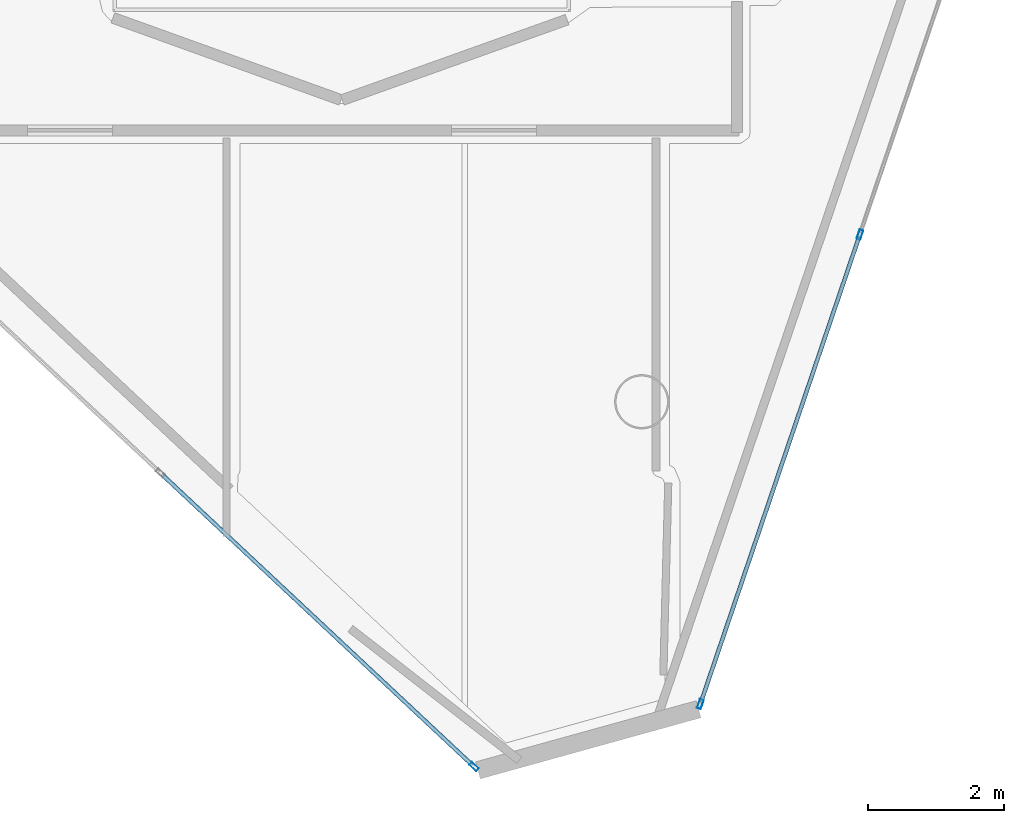
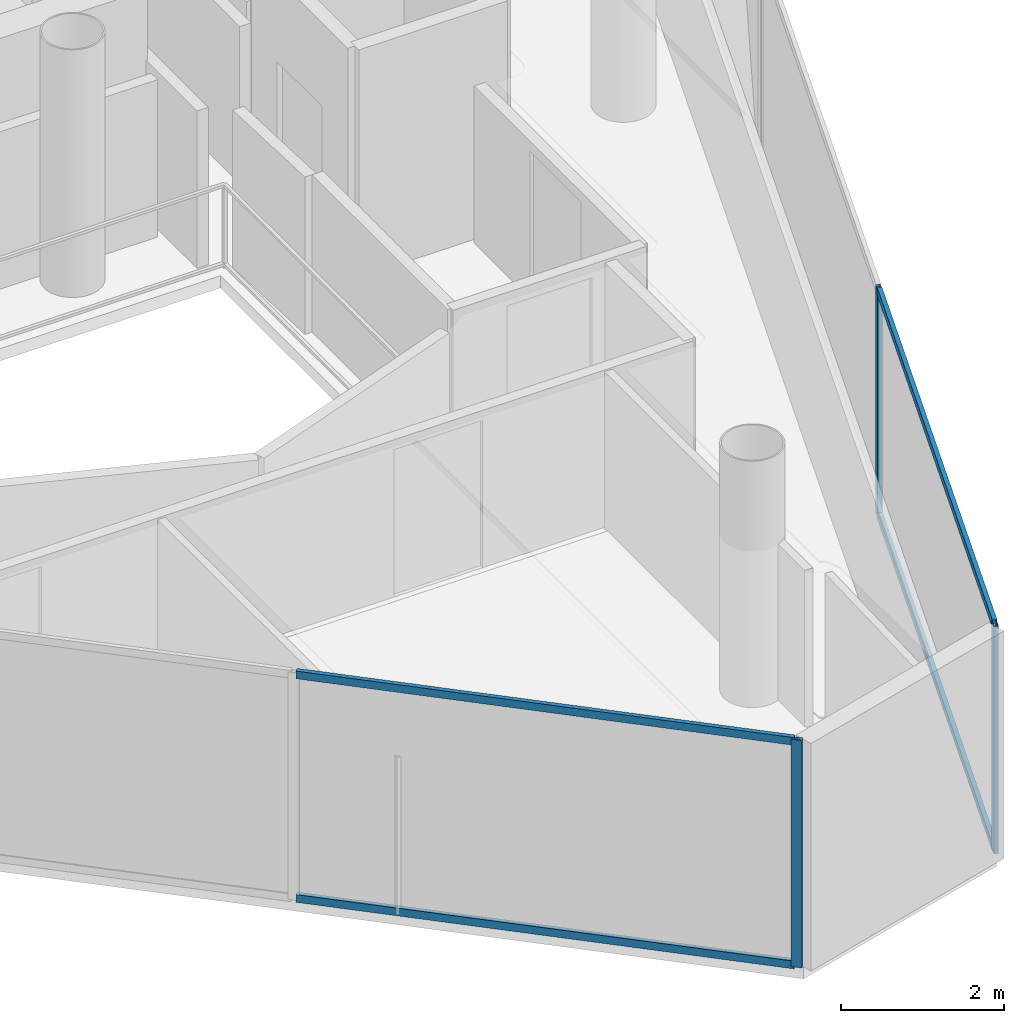
# One storey, part 4 of 18: 7 members, 2 elements without a shape of their own.
"""IFC4 building model written with IfcOpenShell, lengths in metres."""

import ifcopenshell
import ifcopenshell.guid

model = None  # the IFC model being written
_history = None  # IfcOwnerHistory: only IFC2X3 demands one
_inside = {}  # id of a spatial element -> (the spatial element, [elements in it])
_under = {}  # id of a project, library or spatial element -> (it, [spatial elements below it])
_declared = {}  # id of a project -> (the project, [libraries it declares])
_typed = {}  # id of a type object -> (the type object, [elements of that type])
_made_of = {}  # id of a material, layer set ... -> (it, [elements and type objects made of it])


def new_model(schema):
    """Start an empty IFC model of exactly this schema.

    Asked for "IFC4X3", IfcOpenShell would pick the latest addendum, in which some entities
    have other attributes; the version numbers below select the first issue.
    IFC2X3 requires an IfcOwnerHistory on every rooted entity: one is made here for all.
    """
    global model, _history
    if schema == "IFC4X3":
        model = ifcopenshell.file(schema_version=(4, 3, 0, 0))
    else:
        model = ifcopenshell.file(schema=schema)
    _inside.clear()
    _under.clear()
    _declared.clear()
    _typed.clear()
    _made_of.clear()
    _history = None
    if model.schema == "IFC2X3":
        org = make("IfcOrganization", Name="unknown")
        user = make(
            "IfcPersonAndOrganization",
            ThePerson=make("IfcPerson", FamilyName="unknown"),
            TheOrganization=org,
        )
        app = make(
            "IfcApplication",
            ApplicationDeveloper=org,
            Version="unknown",
            ApplicationFullName="unknown",
            ApplicationIdentifier="unknown",
        )
        _history = make(
            "IfcOwnerHistory",
            OwningUser=user,
            OwningApplication=app,
            ChangeAction="ADDED",
            CreationDate=0,
        )
    return model


def make(cls, **values):
    """One entity of the class cls with the attributes given. An attribute that is None is left unset."""
    return model.create_entity(
        cls, **{name: value for name, value in values.items() if value is not None}
    )


def rooted(cls, **values):
    """An entity with a GlobalId (a new one), such as an element, a storey or a relation."""
    return make(cls, GlobalId=ifcopenshell.guid.new(), OwnerHistory=_history, **values)


def si_unit(unit_type, name, prefix=None):
    """IfcSIUnit, for example si_unit("LENGTHUNIT", "METRE", prefix="MILLI")."""
    return make("IfcSIUnit", UnitType=unit_type, Prefix=prefix, Name=name)


def assignment(units):
    """IfcUnitAssignment: the units of a project."""
    return None if units is None else make("IfcUnitAssignment", Units=units)


def point(xyz):
    """IfcCartesianPoint."""
    return None if xyz is None else make("IfcCartesianPoint", Coordinates=xyz)


def direction(xyz):
    """IfcDirection."""
    return None if xyz is None else make("IfcDirection", DirectionRatios=xyz)


def frame(location, z_axis=None, x_axis=None):
    """IfcAxis2Placement3D, a coordinate frame: its origin and axes. An axis left out is left unset."""
    return make(
        "IfcAxis2Placement3D",
        Location=point(location),
        Axis=direction(z_axis),
        RefDirection=direction(x_axis),
    )


def frame_2d(location, x_axis=None):
    """IfcAxis2Placement2D, a coordinate frame in the plane: its origin and x axis."""
    return make(
        "IfcAxis2Placement2D", Location=point(location), RefDirection=direction(x_axis)
    )


def origin():
    """The frame at (0, 0, 0) with its axes left unset."""
    return frame((0.0, 0.0, 0.0))


def origin_2d():
    """The frame at (0, 0) in the plane with its x axis left unset."""
    return frame_2d((0.0, 0.0))


def place(relative_to, where):
    """IfcLocalPlacement: puts the frame where relative to a parent placement (None: the world)."""
    return make(
        "IfcLocalPlacement", PlacementRelTo=relative_to, RelativePlacement=where
    )


def context(
    kind, dimensions, precision=None, world=None, true_north=None, identifier=None
):
    """IfcGeometricRepresentationContext, for example the 3D "Model" context."""
    return make(
        "IfcGeometricRepresentationContext",
        ContextIdentifier=identifier,
        ContextType=kind,
        CoordinateSpaceDimension=dimensions,
        Precision=precision,
        WorldCoordinateSystem=world,
        TrueNorth=true_north,
    )


def subcontext(parent, identifier, kind, view, scale=None):
    """IfcGeometricRepresentationSubContext, for example "Body" below "Model"."""
    return make(
        "IfcGeometricRepresentationSubContext",
        ContextIdentifier=identifier,
        ContextType=kind,
        ParentContext=parent,
        TargetScale=scale,
        TargetView=view,
    )


def project(units=None, contexts=None):
    """IfcProject with its units and contexts."""
    return rooted(
        "IfcProject",
        Name="project",
        RepresentationContexts=contexts,
        UnitsInContext=assignment(units),
    )


def spatial(cls, under=None, at=None, **own):
    """A site, building, storey or space (cls), placed at a placement, below another one or the project."""
    s = rooted(cls, ObjectPlacement=at, **own)
    if under is not None:
        _under.setdefault(under.id(), (under, []))[1].append(s)
    return s


def profile(cls, at=None, kind="AREA", **sizes):
    """A parametric profile (cls). Its sizes go by their IFC names, for example OverallWidth=200.0."""
    return make(cls, ProfileType=kind, Position=at, **sizes)


def hollow_rectangle(**sizes):
    """IfcRectangleHollowProfileDef."""
    return profile("IfcRectangleHollowProfileDef", **sizes)


def extrude(swept, where, along, depth):
    """IfcExtrudedAreaSolid: the profile swept, set in the frame where, extruded along a direction by depth."""
    return make(
        "IfcExtrudedAreaSolid",
        SweptArea=swept,
        Position=where,
        ExtrudedDirection=direction(along),
        Depth=depth,
    )


def shape(context_of_items, identifier, shape_type, items):
    """IfcShapeRepresentation: the items that make up one representation, for example the "Body"."""
    return make(
        "IfcShapeRepresentation",
        ContextOfItems=context_of_items,
        RepresentationIdentifier=identifier,
        RepresentationType=shape_type,
        Items=items,
    )


def material(Name=None, Category=None):
    """IfcMaterial."""
    return make("IfcMaterial", Name=Name, Category=Category)


def layer(
    of_material, thickness, ventilated=None, Name=None, Category=None, Priority=None
):
    """IfcMaterialLayer: one layer of a wall or slab, of a material (None: an air gap)."""
    return make(
        "IfcMaterialLayer",
        Material=of_material,
        LayerThickness=thickness,
        IsVentilated=ventilated,
        Name=Name,
        Category=Category,
        Priority=Priority,
    )


def layer_set(layers, Name=None):
    """IfcMaterialLayerSet."""
    return make("IfcMaterialLayerSet", MaterialLayers=layers, LayerSetName=Name)


def material_profile(
    of_material, cross_section, Name=None, Category=None, Priority=None
):
    """IfcMaterialProfile: a cross section and its material."""
    return make(
        "IfcMaterialProfile",
        Name=Name,
        Material=of_material,
        Profile=cross_section,
        Priority=Priority,
        Category=Category,
    )


def profile_set(profiles, Name=None, composite=None):
    """IfcMaterialProfileSet."""
    return make(
        "IfcMaterialProfileSet",
        Name=Name,
        MaterialProfiles=profiles,
        CompositeProfile=composite,
    )


def made_of(thing, what):
    """Note that an element or type object is made of a material, layer set ...; save() writes the relation."""
    if what is not None:
        _made_of.setdefault(what.id(), (what, []))[1].append(thing)
    return thing


def type_object(cls, material=None, **own):
    """A type object (cls), such as IfcWallType, which elements share."""
    return made_of(rooted(cls, **own), material)


def element(
    cls,
    number,
    at=None,
    inside=None,
    cuts=None,
    type_object=None,
    material=None,
    context=None,
    identifier="Body",
    shape_type=None,
    held_by="IfcProductDefinitionShape",
    body=None,
    shapes=None,
    **own,
):
    """One element of the class cls, such as IfcWall. Its Tag is "e" and its number.

    at: its placement. inside: the storey or other place that contains it. cuts: it is an
    opening in that element (IfcRelVoidsElement). A single representation is given by context,
    identifier, shape_type and body (its items); several are given by shapes. held_by: the class
    of the entity that holds the representations. save() writes the other relations.
    """
    e = rooted(cls, Tag="e%d" % number, ObjectPlacement=at, **own)
    if body is not None:
        shapes = [shape(context, identifier, shape_type, body)]
    if shapes is not None:
        e.Representation = make(held_by, Representations=shapes)
    if inside is not None:
        _inside.setdefault(inside.id(), (inside, []))[1].append(e)
    if cuts is not None:
        rooted(
            "IfcRelVoidsElement", RelatingBuildingElement=cuts, RelatedOpeningElement=e
        )
    if type_object is not None:
        _typed.setdefault(type_object.id(), (type_object, []))[1].append(e)
    return made_of(e, material)


def aggregate(whole, parts):
    """IfcRelAggregates: a whole, such as a stair, and the parts it consists of."""
    return rooted("IfcRelAggregates", RelatingObject=whole, RelatedObjects=parts)


def save(model, path):
    """Write the relations noted so far, then the file.

    IfcRelAggregates (storeys below a building ...), IfcRelContainedInSpatialStructure (elements
    in a storey), IfcRelDefinesByType, IfcRelAssociatesMaterial and IfcRelDeclares: one each for
    every whole, place, type object, material and project.
    """
    for whole, parts in _under.values():
        aggregate(whole, parts)
    for where, things in _inside.values():
        rooted(
            "IfcRelContainedInSpatialStructure",
            RelatedElements=things,
            RelatingStructure=where,
        )
    for kind, things in _typed.values():
        rooted("IfcRelDefinesByType", RelatedObjects=things, RelatingType=kind)
    for what, things in _made_of.values():
        rooted("IfcRelAssociatesMaterial", RelatedObjects=things, RelatingMaterial=what)
    for by, libraries in _declared.values():
        rooted("IfcRelDeclares", RelatingContext=by, RelatedDefinitions=libraries)
    model.write(path)


model = new_model("IFC4")

# Units and contexts
model_context = context("Model", 3, precision=1e-05, world=origin(), true_north=direction((0.0, 1.0)))
body_context = subcontext(model_context, "Body", "Model", "MODEL_VIEW")
ifc_project = project(units=[si_unit("LENGTHUNIT", "METRE"), si_unit("AREAUNIT", "SQUARE_METRE"), si_unit("VOLUMEUNIT", "CUBIC_METRE"), si_unit("PLANEANGLEUNIT", "RADIAN"), si_unit("MASSUNIT", "GRAM", prefix="KILO")], contexts=[model_context])

# Site, building, storey
site_placement = place(None, origin())
site = spatial("IfcSite", under=ifc_project, at=site_placement, CompositionType="ELEMENT")
building_placement = place(site_placement, origin())
building = spatial("IfcBuilding", under=site, at=building_placement, Name="Qianvela Tower", CompositionType="ELEMENT")
storey_placement = place(building_placement, frame((0.0, 0.0, 348.10009765625)))
storey = spatial("IfcBuildingStorey", under=building, at=storey_placement, Name="L90", CompositionType="ELEMENT", Elevation=348.10009765625)

# Curtain wall, member
ifc_material_1 = material(Name="Anodised Architectural Aluminium and Low-E Glass", Category="aluminium")
ifc_layer = layer(ifc_material_1, 0.14990234375)
ifc_layer_set = layer_set([ifc_layer], Name="Anodised Architectural Aluminium and Low-E Glass")
curtain_wall_type = type_object("IfcCurtainWallType", Name="CW-COLIV-Z78", PredefinedType="USERDEFINED", material=ifc_layer_set)
curtain_wall_1_placement = place(storey_placement, origin())
curtain_wall_1 = element("IfcCurtainWall", 1, at=curtain_wall_1_placement, inside=storey, type_object=curtain_wall_type, Name="L90 CW-COLIV-Z78 Curtain Wall 04C", ObjectType="CURTAIN_WALL_SYSTEM", PredefinedType="USERDEFINED")
ifc_material_2 = material(Name="Anodised Architectural Aluminium 6063-T6", Category="aluminium")
ifc_material_profile_1 = material_profile(ifc_material_2, hollow_rectangle(XDim=0.06005859375, YDim=0.139892578125, WallThickness=0.00439453125, at=origin_2d()), Name="ALU-MULL-60x140")
ifc_profile_set_1 = profile_set([ifc_material_profile_1], Name="Anodised Architectural Aluminium 6063-T6")
member_type_1 = type_object("IfcMemberType", Name="CW-COLIV-Z78-MULL", PredefinedType="MULLION", material=ifc_profile_set_1)
member_1_placement = place(storey_placement, frame((38.748046875, 6.71630859375, 0.0), z_axis=(0.0, 0.0, 1.0), x_axis=(0.683533081208, 0.729919534534, 0.0)))
member_1 = element("IfcMember", 2, at=member_1_placement, type_object=member_type_1, Name="CW-6 mullion 3", PredefinedType="MULLION", context=body_context, shape_type="SweptSolid", body=[
    extrude(hollow_rectangle(XDim=0.06005859375, YDim=0.139892578125, WallThickness=0.00439453125, at=origin_2d()), origin(), (0.0, 0.0, 1.0), 3.39990234375),
])

# Curtain wall, members
curtain_wall_2_placement = place(storey_placement, origin())
curtain_wall_2 = element("IfcCurtainWall", 3, at=curtain_wall_2_placement, inside=storey, type_object=curtain_wall_type, Name="L90 CW-COLIV-Z78 Curtain Wall 06A", ObjectType="CURTAIN_WALL_SYSTEM", PredefinedType="USERDEFINED")
member_2_placement = place(storey_placement, frame((42.079833984375, 7.637451171875, 0.0), z_axis=(0.0, 0.0, 1.0), x_axis=(-0.946835177583, 0.321719049003, 0.0)))
member_2 = element("IfcMember", 4, at=member_2_placement, type_object=member_type_1, Name="CW-6 mullion 1", PredefinedType="MULLION", context=body_context, shape_type="SweptSolid", body=[
    extrude(hollow_rectangle(XDim=0.06005859375, YDim=0.139892578125, WallThickness=0.00439453125, at=origin_2d()), origin(), (0.0, 0.0, 1.0), 3.39990234375),
])
member_3_placement = place(storey_placement, frame((44.428466796875, 14.54931640625, 0.0), z_axis=(0.0, 0.0, 1.0), x_axis=(-0.946835177583, 0.321719049003, 0.0)))
member_3 = element("IfcMember", 5, at=member_3_placement, type_object=member_type_1, Name="CW-6 mullion 2", PredefinedType="MULLION", context=body_context, shape_type="SweptSolid", body=[
    extrude(hollow_rectangle(XDim=0.06005859375, YDim=0.139892578125, WallThickness=0.00439453125, at=origin_2d()), origin(), (0.0, 0.0, 1.0), 3.39990234375),
])

# Member
ifc_material_3 = material(Name="Anodised Architectural Aluminium 6063-T6", Category="aluminium")
ifc_material_profile_2 = material_profile(ifc_material_3, hollow_rectangle(XDim=0.06005859375, YDim=0.114990234375, WallThickness=0.00390625, at=origin_2d()), Name="ALU-TRAN-60x115")
ifc_profile_set_2 = profile_set([ifc_material_profile_2], Name="Anodised Architectural Aluminium 6063-T6")
member_type_2 = type_object("IfcMemberType", Name="CW-COLIV-Z78-TRAN", PredefinedType="USERDEFINED", material=ifc_profile_set_2)
member_4_placement = place(storey_placement, frame((34.155517578125, 11.01708984375, 0.02978515625), z_axis=(0.729923720234, -0.683528611427, 0.0), x_axis=(0.683528611427, 0.729923720234, 0.0)))
member_4 = element("IfcMember", 6, at=member_4_placement, type_object=member_type_2, Name="CW-6 transom 2.1", ObjectType="TRANSOM", PredefinedType="USERDEFINED", context=body_context, shape_type="SweptSolid", body=[
    extrude(hollow_rectangle(XDim=0.06005859375, YDim=0.114990234375, WallThickness=0.00390625, at=origin_2d()), origin(), (0.0, 0.0, 1.0), 6.261962890625),
])

member_5_placement = place(storey_placement, frame((34.155517578125, 11.01708984375, 3.369873046875), z_axis=(0.729923720234, -0.683528611427, 0.0), x_axis=(0.683528611427, 0.729923720234, 0.0)))
member_5 = element("IfcMember", 7, at=member_5_placement, type_object=member_type_2, Name="CW-6 transom 2.2", ObjectType="TRANSOM", PredefinedType="USERDEFINED", context=body_context, shape_type="SweptSolid", body=[
    extrude(hollow_rectangle(XDim=0.06005859375, YDim=0.114990234375, WallThickness=0.00390625, at=origin_2d()), origin(), (0.0, 0.0, 1.0), 6.261962890625),
])

aggregate(curtain_wall_1, [member_1, member_4, member_5])

member_6_placement = place(storey_placement, frame((42.089599609375, 7.666015625, 0.02978515625), z_axis=(0.32170564316, 0.946839732562, 0.0), x_axis=(-0.946839732562, 0.32170564316, 0.0)))
member_6 = element("IfcMember", 8, at=member_6_placement, type_object=member_type_2, Name="CW-6 transom 1.1", ObjectType="TRANSOM", PredefinedType="USERDEFINED", context=body_context, shape_type="SweptSolid", body=[
    extrude(hollow_rectangle(XDim=0.06005859375, YDim=0.114990234375, WallThickness=0.00390625, at=origin_2d()), origin(), (0.0, 0.0, 1.0), 7.23974609375),
])

member_7_placement = place(storey_placement, frame((42.089599609375, 7.666015625, 3.369873046875), z_axis=(0.32170564316, 0.946839732562, 0.0), x_axis=(-0.946839732562, 0.32170564316, 0.0)))
member_7 = element("IfcMember", 9, at=member_7_placement, type_object=member_type_2, Name="CW-6 transom 1.2", ObjectType="TRANSOM", PredefinedType="USERDEFINED", context=body_context, shape_type="SweptSolid", body=[
    extrude(hollow_rectangle(XDim=0.06005859375, YDim=0.114990234375, WallThickness=0.00390625, at=origin_2d()), origin(), (0.0, 0.0, 1.0), 7.23974609375),
])

aggregate(curtain_wall_2, [member_2, member_3, member_6, member_7])

save(model, "model.ifc")
